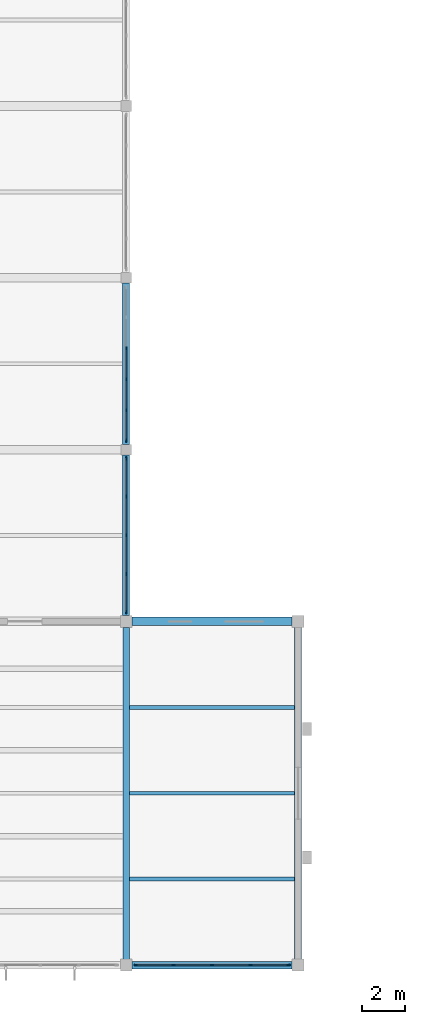
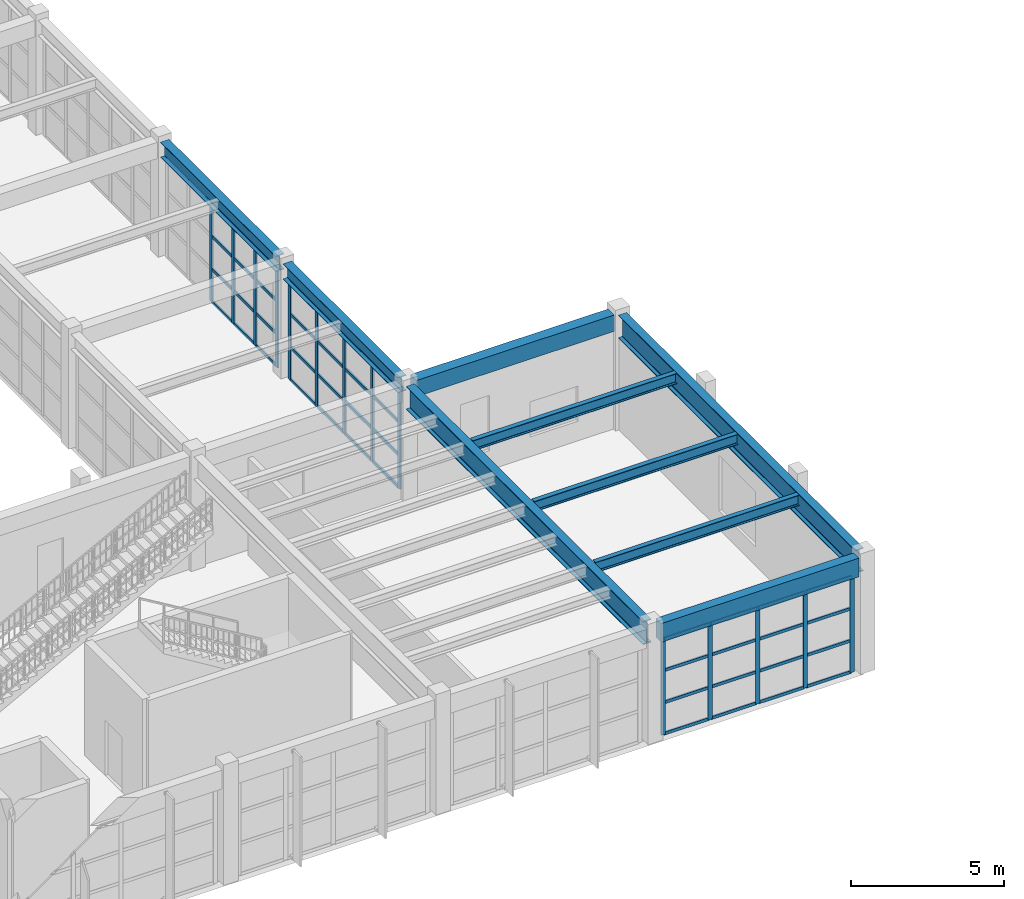
# One storey, part 24 of 59: 58 members, 9 beams, 3 elements without a shape of their own.
"""IFC4 building model written with IfcOpenShell, lengths in metres."""

from ifc_helpers import new_model, si_unit, direction, frame, origin, origin_2d, place, context, subcontext, project, spatial, rectangle, i_section, extrude, material, material_profile, profile_set, type_object, element, aggregate, save


model = new_model("IFC4")

# Units and contexts
model_context = context("Model", 3, precision=1e-05, world=origin(), true_north=direction((0.0, 1.0)))
body_context = subcontext(model_context, "Body", "Model", "MODEL_VIEW")
ifc_project = project(units=[si_unit("LENGTHUNIT", "METRE"), si_unit("AREAUNIT", "SQUARE_METRE"), si_unit("VOLUMEUNIT", "CUBIC_METRE"), si_unit("PLANEANGLEUNIT", "RADIAN"), si_unit("MASSUNIT", "GRAM", prefix="KILO")], contexts=[model_context])

# Site, building, storey
site_placement = place(None, origin())
site = spatial("IfcSite", under=ifc_project, at=site_placement, CompositionType="ELEMENT")
building_placement = place(site_placement, origin())
building = spatial("IfcBuilding", under=site, at=building_placement, Name="Serraluz Foothill Cableway Terminal", CompositionType="ELEMENT")
storey_placement = place(building_placement, frame((0.0, 0.0, 4.800048828125)))
storey = spatial("IfcBuildingStorey", under=building, at=storey_placement, Name="L01", CompositionType="ELEMENT", Elevation=4.800048828125)

# Beams
ifc_material_1 = material(Name="Concrete C28/35 (f'c 28 MPa)", Category="concrete")
ifc_material_profile_1 = material_profile(ifc_material_1, rectangle(XDim=0.39990234375, YDim=0.64990234375, at=origin_2d()), Name="RC 400x650")
ifc_profile_set_1 = profile_set([ifc_material_profile_1], Name="Concrete C28/35 (f'c 28 MPa)")
beam_type_1 = type_object("IfcBeamType", Name="TYP-BM-RC400X650", PredefinedType="BEAM", material=ifc_profile_set_1)
beam_1_placement = place(storey_placement, frame((128.27099609375, 16.0, 4.2548828125), z_axis=(1.0, 0.0, 0.0), x_axis=(0.0, 1.0, 0.0)))
element("IfcBeam", 1, at=beam_1_placement, inside=storey, type_object=beam_type_1, Name="Primary Girder BM-X-L01-0190", PredefinedType="BEAM", context=body_context, shape_type="SweptSolid", body=[
    extrude(rectangle(XDim=0.39990234375, YDim=0.64990234375, at=origin_2d()), origin(), (0.0, 0.0, 1.0), 7.4580078125),
])
ifc_material_2 = material(Name="Steel ASTM A992 Grade 50", Category="steel")
ifc_material_profile_2 = material_profile(ifc_material_2, i_section(OverallWidth=0.324951171875, OverallDepth=0.615966796875, WebThickness=0.013916015625, FlangeThickness=0.021484375, FilletRadius=0.01806640625, at=origin_2d()), Name="W24X117")
ifc_profile_set_2 = profile_set([ifc_material_profile_2], Name="Steel ASTM A992 Grade 50")
beam_type_2 = type_object("IfcBeamType", Name="TYP-BM-W24X117", PredefinedType="BEAM", material=ifc_profile_set_2)
beam_2_placement = place(storey_placement, frame((128.0, 16.27099609375, 4.251953125), z_axis=(0.0, 1.0, 0.0), x_axis=(-1.0, 0.0, 0.0)))
element("IfcBeam", 2, at=beam_2_placement, inside=storey, type_object=beam_type_2, Name="Transverse Girder BM-Y-L01-0282", PredefinedType="BEAM", context=body_context, shape_type="SweptSolid", body=[
    extrude(i_section(OverallWidth=0.324951171875, OverallDepth=0.615966796875, WebThickness=0.013916015625, FlangeThickness=0.021484375, FilletRadius=0.01806640625, at=origin_2d()), origin(), (0.0, 0.0, 1.0), 7.48291015625),
])
beam_3_placement = place(storey_placement, frame((128.0, 24.24609375, 4.251953125), z_axis=(0.0, 1.0, 0.0), x_axis=(-1.0, 0.0, 0.0)))
element("IfcBeam", 3, at=beam_3_placement, inside=storey, type_object=beam_type_2, Name="Transverse Girder BM-Y-L01-0283", PredefinedType="BEAM", context=body_context, shape_type="SweptSolid", body=[
    extrude(i_section(OverallWidth=0.324951171875, OverallDepth=0.615966796875, WebThickness=0.013916015625, FlangeThickness=0.021484375, FilletRadius=0.01806640625, at=origin_2d()), origin(), (0.0, 0.0, 1.0), 7.5078125),
])
ifc_material_profile_3 = material_profile(ifc_material_2, i_section(OverallWidth=0.30810546875, OverallDepth=0.927001953125, WebThickness=0.019287109375, FlangeThickness=0.031982421875, FilletRadius=0.02587890625, at=origin_2d()), Name="W36X194")
ifc_profile_set_3 = profile_set([ifc_material_profile_3], Name="Steel ASTM A992 Grade 50")
beam_type_3 = type_object("IfcBeamType", Name="TYP-BM-W36X194", PredefinedType="BEAM", material=ifc_profile_set_3)
for number, where, z_axis, x_axis, name in (
    (4, (128.0, 0.27099609375, 4.076416015625), (0.0, 1.0, 0.0), (-1.0, 0.0, 0.0), "Transverse Girder BM-Y-L01-0281"),
    (5, (136.0, 0.27099609375, 4.116455078125), (0.0, 1.0, 0.0), (-1.0, 0.0, 0.0), "Transverse Girder BM-Y-L01-0288"),
):
    element("IfcBeam", number, at=place(storey_placement, frame(where, z_axis=z_axis, x_axis=x_axis)), inside=storey, type_object=beam_type_3, Name=name, PredefinedType="BEAM", context=body_context, shape_type="SweptSolid", body=[
        extrude(i_section(OverallWidth=0.30810546875, OverallDepth=0.927001953125, WebThickness=0.019287109375, FlangeThickness=0.031982421875, FilletRadius=0.02587890625, at=origin_2d()), origin(), (0.0, 0.0, 1.0), 15.4580078125),
    ])

# Curtain wall, members
ifc_material_3 = material(Name="Architectural bronze alloy C28000", Category="aluminium")
curtain_wall_type_1 = type_object("IfcCurtainWallType", Name="TYP-CW-380X420", PredefinedType="NOTDEFINED", material=ifc_material_3)
curtain_wall_1_placement = place(storey_placement, origin())
curtain_wall_1 = element("IfcCurtainWall", 6, at=curtain_wall_1_placement, inside=storey, type_object=curtain_wall_type_1, Name="Ribbed Glazed Curtain Wall CW-V3S-L01-128", PredefinedType="NOTDEFINED")
ifc_material_profile_4 = material_profile(ifc_material_3, rectangle(XDim=0.06005859375, YDim=0.159912109375, at=origin_2d()), Name="ALU MULLION 60x160")
ifc_profile_set_4 = profile_set([ifc_material_profile_4], Name="Architectural bronze alloy C28000")
member_type_1 = type_object("IfcMemberType", Name="TYP-CW-MUL-60X160", PredefinedType="MULLION", material=ifc_profile_set_4)
member_1_placement = place(storey_placement, frame((135.554931640625, 0.0, 0.0), z_axis=(0.0, 0.0, 1.0), x_axis=(0.0, -1.0, 0.0)))
member_1 = element("IfcMember", 7, at=member_1_placement, type_object=member_type_1, Name="CW-17 mullion 1", PredefinedType="MULLION", context=body_context, shape_type="SweptSolid", body=[
    extrude(rectangle(XDim=0.06005859375, YDim=0.159912109375, at=origin_2d()), origin(), (0.0, 0.0, 1.0), 3.829833984375),
])
member_2_placement = place(storey_placement, frame((133.79248046875, 0.0, 0.0), z_axis=(0.0, 0.0, 1.0), x_axis=(0.0, -1.0, 0.0)))
member_2 = element("IfcMember", 8, at=member_2_placement, type_object=member_type_1, Name="CW-17 mullion 2", PredefinedType="MULLION", context=body_context, shape_type="SweptSolid", body=[
    extrude(rectangle(XDim=0.06005859375, YDim=0.159912109375, at=origin_2d()), origin(), (0.0, 0.0, 1.0), 3.829833984375),
])
member_3_placement = place(storey_placement, frame((132.0, 0.0, 0.0), z_axis=(0.0, 0.0, 1.0), x_axis=(0.0, -1.0, 0.0)))
member_3 = element("IfcMember", 9, at=member_3_placement, type_object=member_type_1, Name="CW-17 mullion 3", PredefinedType="MULLION", context=body_context, shape_type="SweptSolid", body=[
    extrude(rectangle(XDim=0.06005859375, YDim=0.159912109375, at=origin_2d()), origin(), (0.0, 0.0, 1.0), 3.829833984375),
])
member_4_placement = place(storey_placement, frame((130.20751953125, 0.0, 0.0), z_axis=(0.0, 0.0, 1.0), x_axis=(0.0, -1.0, 0.0)))
member_4 = element("IfcMember", 10, at=member_4_placement, type_object=member_type_1, Name="CW-17 mullion 4", PredefinedType="MULLION", context=body_context, shape_type="SweptSolid", body=[
    extrude(rectangle(XDim=0.06005859375, YDim=0.159912109375, at=origin_2d()), origin(), (0.0, 0.0, 1.0), 3.829833984375),
])
member_5_placement = place(storey_placement, frame((128.445068359375, 0.0, 0.0), z_axis=(0.0, 0.0, 1.0), x_axis=(0.0, -1.0, 0.0)))
member_5 = element("IfcMember", 11, at=member_5_placement, type_object=member_type_1, Name="CW-17 mullion 5", PredefinedType="MULLION", context=body_context, shape_type="SweptSolid", body=[
    extrude(rectangle(XDim=0.06005859375, YDim=0.159912109375, at=origin_2d()), origin(), (0.0, 0.0, 1.0), 3.829833984375),
])

curtain_wall_type_2 = type_object("IfcCurtainWallType", Name="TYP-CW-710X420", PredefinedType="NOTDEFINED", material=ifc_material_3)
curtain_wall_2_placement = place(storey_placement, origin())
curtain_wall_2 = element("IfcCurtainWall", 12, at=curtain_wall_2_placement, inside=storey, type_object=curtain_wall_type_2, Name="Ribbed Glazed Curtain Wall CW-CLE-L01-16", PredefinedType="NOTDEFINED")
member_6_placement = place(storey_placement, frame((128.0, 23.580078125, 0.0), z_axis=(0.0, 0.0, 1.0), x_axis=(1.0, 0.0, 0.0)))
member_6 = element("IfcMember", 13, at=member_6_placement, type_object=member_type_1, Name="CW-01 mullion 1", PredefinedType="MULLION", context=body_context, shape_type="SweptSolid", body=[
    extrude(rectangle(XDim=0.06005859375, YDim=0.159912109375, at=origin_2d()), origin(), (0.0, 0.0, 1.0), 3.94384765625),
])
member_7_placement = place(storey_placement, frame((128.0, 21.811279296875, 0.0), z_axis=(0.0, 0.0, 1.0), x_axis=(1.0, 0.0, 0.0)))
member_7 = element("IfcMember", 14, at=member_7_placement, type_object=member_type_1, Name="CW-01 mullion 2", PredefinedType="MULLION", context=body_context, shape_type="SweptSolid", body=[
    extrude(rectangle(XDim=0.06005859375, YDim=0.159912109375, at=origin_2d()), origin(), (0.0, 0.0, 1.0), 3.94384765625),
])
member_8_placement = place(storey_placement, frame((128.0, 20.012451171875, 0.0), z_axis=(0.0, 0.0, 1.0), x_axis=(1.0, 0.0, 0.0)))
member_8 = element("IfcMember", 15, at=member_8_placement, type_object=member_type_1, Name="CW-01 mullion 3", PredefinedType="MULLION", context=body_context, shape_type="SweptSolid", body=[
    extrude(rectangle(XDim=0.06005859375, YDim=0.159912109375, at=origin_2d()), origin(), (0.0, 0.0, 1.0), 3.94384765625),
])
member_9_placement = place(storey_placement, frame((128.0, 18.2138671875, 0.0), z_axis=(0.0, 0.0, 1.0), x_axis=(1.0, 0.0, 0.0)))
member_9 = element("IfcMember", 16, at=member_9_placement, type_object=member_type_1, Name="CW-01 mullion 4", PredefinedType="MULLION", context=body_context, shape_type="SweptSolid", body=[
    extrude(rectangle(XDim=0.06005859375, YDim=0.159912109375, at=origin_2d()), origin(), (0.0, 0.0, 1.0), 3.94384765625),
])
member_10_placement = place(storey_placement, frame((128.0, 16.445068359375, 0.0), z_axis=(0.0, 0.0, 1.0), x_axis=(1.0, 0.0, 0.0)))
member_10 = element("IfcMember", 17, at=member_10_placement, type_object=member_type_1, Name="CW-01 mullion 5", PredefinedType="MULLION", context=body_context, shape_type="SweptSolid", body=[
    extrude(rectangle(XDim=0.06005859375, YDim=0.159912109375, at=origin_2d()), origin(), (0.0, 0.0, 1.0), 3.94384765625),
])

curtain_wall_3_placement = place(storey_placement, origin())
curtain_wall_3 = element("IfcCurtainWall", 18, at=curtain_wall_3_placement, inside=storey, type_object=curtain_wall_type_2, Name="Ribbed Glazed Curtain Wall CW-CLE-L01-24", PredefinedType="NOTDEFINED")
member_11_placement = place(storey_placement, frame((128.0, 28.721923828125, 0.0), z_axis=(0.0, 0.0, 1.0), x_axis=(1.0, 0.0, 0.0)))
member_11 = element("IfcMember", 19, at=member_11_placement, type_object=member_type_1, Name="CW-01 mullion 3", PredefinedType="MULLION", context=body_context, shape_type="SweptSolid", body=[
    extrude(rectangle(XDim=0.06005859375, YDim=0.159912109375, at=origin_2d()), origin(), (0.0, 0.0, 1.0), 3.94384765625),
])
member_12_placement = place(storey_placement, frame((128.0, 27.278076171875, 0.0), z_axis=(0.0, 0.0, 1.0), x_axis=(1.0, 0.0, 0.0)))
member_12 = element("IfcMember", 20, at=member_12_placement, type_object=member_type_1, Name="CW-01 mullion 4", PredefinedType="MULLION", context=body_context, shape_type="SweptSolid", body=[
    extrude(rectangle(XDim=0.06005859375, YDim=0.159912109375, at=origin_2d()), origin(), (0.0, 0.0, 1.0), 3.94384765625),
])
member_13_placement = place(storey_placement, frame((128.0, 25.833984375, 0.0), z_axis=(0.0, 0.0, 1.0), x_axis=(1.0, 0.0, 0.0)))
member_13 = element("IfcMember", 21, at=member_13_placement, type_object=member_type_1, Name="CW-01 mullion 5", PredefinedType="MULLION", context=body_context, shape_type="SweptSolid", body=[
    extrude(rectangle(XDim=0.06005859375, YDim=0.159912109375, at=origin_2d()), origin(), (0.0, 0.0, 1.0), 3.94384765625),
])
member_14_placement = place(storey_placement, frame((128.0, 24.419921875, 0.0), z_axis=(0.0, 0.0, 1.0), x_axis=(1.0, 0.0, 0.0)))
member_14 = element("IfcMember", 22, at=member_14_placement, type_object=member_type_1, Name="CW-01 mullion 6", PredefinedType="MULLION", context=body_context, shape_type="SweptSolid", body=[
    extrude(rectangle(XDim=0.06005859375, YDim=0.159912109375, at=origin_2d()), origin(), (0.0, 0.0, 1.0), 3.94384765625),
])

# Member
ifc_material_profile_5 = material_profile(ifc_material_3, rectangle(XDim=0.06005859375, YDim=0.1201171875, at=origin_2d()), Name="ALU TRANSOM 60x120")
ifc_profile_set_5 = profile_set([ifc_material_profile_5], Name="Architectural bronze alloy C28000")
member_type_2 = type_object("IfcMemberType", Name="TYP-CW-TRN-60X120", PredefinedType="USERDEFINED", material=ifc_profile_set_5)
member_15_placement = place(storey_placement, frame((135.52490234375, 0.0, 0.030029296875), z_axis=(-1.0, 0.0, 0.0), x_axis=(0.0, -1.0, 0.0)))
member_15 = element("IfcMember", 23, at=member_15_placement, type_object=member_type_2, Name="CW-17 transom 1.1", ObjectType="TRANSOM", PredefinedType="USERDEFINED", context=body_context, shape_type="SweptSolid", body=[
    extrude(rectangle(XDim=0.06005859375, YDim=0.1201171875, at=origin_2d()), origin(), (0.0, 0.0, 1.0), 1.702392578125),
])

member_16_placement = place(storey_placement, frame((135.52490234375, 0.0, 1.276611328125), z_axis=(-1.0, 0.0, 0.0), x_axis=(0.0, -1.0, 0.0)))
member_16 = element("IfcMember", 24, at=member_16_placement, type_object=member_type_2, Name="CW-17 transom 1.2", ObjectType="TRANSOM", PredefinedType="USERDEFINED", context=body_context, shape_type="SweptSolid", body=[
    extrude(rectangle(XDim=0.06005859375, YDim=0.1201171875, at=origin_2d()), origin(), (0.0, 0.0, 1.0), 1.702392578125),
])

member_17_placement = place(storey_placement, frame((135.52490234375, 0.0, 2.55322265625), z_axis=(-1.0, 0.0, 0.0), x_axis=(0.0, -1.0, 0.0)))
member_17 = element("IfcMember", 25, at=member_17_placement, type_object=member_type_2, Name="CW-17 transom 1.3", ObjectType="TRANSOM", PredefinedType="USERDEFINED", context=body_context, shape_type="SweptSolid", body=[
    extrude(rectangle(XDim=0.06005859375, YDim=0.1201171875, at=origin_2d()), origin(), (0.0, 0.0, 1.0), 1.702392578125),
])

member_18_placement = place(storey_placement, frame((135.52490234375, 0.0, 3.800048828125), z_axis=(-1.0, 0.0, 0.0), x_axis=(0.0, -1.0, 0.0)))
member_18 = element("IfcMember", 26, at=member_18_placement, type_object=member_type_2, Name="CW-17 transom 1.4", ObjectType="TRANSOM", PredefinedType="USERDEFINED", context=body_context, shape_type="SweptSolid", body=[
    extrude(rectangle(XDim=0.06005859375, YDim=0.1201171875, at=origin_2d()), origin(), (0.0, 0.0, 1.0), 1.702392578125),
])

member_19_placement = place(storey_placement, frame((133.762451171875, 0.0, 0.030029296875), z_axis=(-1.0, 0.0, 0.0), x_axis=(0.0, -1.0, 0.0)))
member_19 = element("IfcMember", 27, at=member_19_placement, type_object=member_type_2, Name="CW-17 transom 2.1", ObjectType="TRANSOM", PredefinedType="USERDEFINED", context=body_context, shape_type="SweptSolid", body=[
    extrude(rectangle(XDim=0.06005859375, YDim=0.1201171875, at=origin_2d()), origin(), (0.0, 0.0, 1.0), 1.732421875),
])

member_20_placement = place(storey_placement, frame((133.762451171875, 0.0, 1.276611328125), z_axis=(-1.0, 0.0, 0.0), x_axis=(0.0, -1.0, 0.0)))
member_20 = element("IfcMember", 28, at=member_20_placement, type_object=member_type_2, Name="CW-17 transom 2.2", ObjectType="TRANSOM", PredefinedType="USERDEFINED", context=body_context, shape_type="SweptSolid", body=[
    extrude(rectangle(XDim=0.06005859375, YDim=0.1201171875, at=origin_2d()), origin(), (0.0, 0.0, 1.0), 1.732421875),
])

member_21_placement = place(storey_placement, frame((133.762451171875, 0.0, 2.55322265625), z_axis=(-1.0, 0.0, 0.0), x_axis=(0.0, -1.0, 0.0)))
member_21 = element("IfcMember", 29, at=member_21_placement, type_object=member_type_2, Name="CW-17 transom 2.3", ObjectType="TRANSOM", PredefinedType="USERDEFINED", context=body_context, shape_type="SweptSolid", body=[
    extrude(rectangle(XDim=0.06005859375, YDim=0.1201171875, at=origin_2d()), origin(), (0.0, 0.0, 1.0), 1.732421875),
])

member_22_placement = place(storey_placement, frame((133.762451171875, 0.0, 3.800048828125), z_axis=(-1.0, 0.0, 0.0), x_axis=(0.0, -1.0, 0.0)))
member_22 = element("IfcMember", 30, at=member_22_placement, type_object=member_type_2, Name="CW-17 transom 2.4", ObjectType="TRANSOM", PredefinedType="USERDEFINED", context=body_context, shape_type="SweptSolid", body=[
    extrude(rectangle(XDim=0.06005859375, YDim=0.1201171875, at=origin_2d()), origin(), (0.0, 0.0, 1.0), 1.732421875),
])

member_23_placement = place(storey_placement, frame((131.969970703125, 0.0, 0.030029296875), z_axis=(-1.0, 0.0, 0.0), x_axis=(0.0, -1.0, 0.0)))
member_23 = element("IfcMember", 31, at=member_23_placement, type_object=member_type_2, Name="CW-17 transom 3.1", ObjectType="TRANSOM", PredefinedType="USERDEFINED", context=body_context, shape_type="SweptSolid", body=[
    extrude(rectangle(XDim=0.06005859375, YDim=0.1201171875, at=origin_2d()), origin(), (0.0, 0.0, 1.0), 1.732421875),
])

member_24_placement = place(storey_placement, frame((131.969970703125, 0.0, 1.276611328125), z_axis=(-1.0, 0.0, 0.0), x_axis=(0.0, -1.0, 0.0)))
member_24 = element("IfcMember", 32, at=member_24_placement, type_object=member_type_2, Name="CW-17 transom 3.2", ObjectType="TRANSOM", PredefinedType="USERDEFINED", context=body_context, shape_type="SweptSolid", body=[
    extrude(rectangle(XDim=0.06005859375, YDim=0.1201171875, at=origin_2d()), origin(), (0.0, 0.0, 1.0), 1.732421875),
])

member_25_placement = place(storey_placement, frame((131.969970703125, 0.0, 2.55322265625), z_axis=(-1.0, 0.0, 0.0), x_axis=(0.0, -1.0, 0.0)))
member_25 = element("IfcMember", 33, at=member_25_placement, type_object=member_type_2, Name="CW-17 transom 3.3", ObjectType="TRANSOM", PredefinedType="USERDEFINED", context=body_context, shape_type="SweptSolid", body=[
    extrude(rectangle(XDim=0.06005859375, YDim=0.1201171875, at=origin_2d()), origin(), (0.0, 0.0, 1.0), 1.732421875),
])

member_26_placement = place(storey_placement, frame((131.969970703125, 0.0, 3.800048828125), z_axis=(-1.0, 0.0, 0.0), x_axis=(0.0, -1.0, 0.0)))
member_26 = element("IfcMember", 34, at=member_26_placement, type_object=member_type_2, Name="CW-17 transom 3.4", ObjectType="TRANSOM", PredefinedType="USERDEFINED", context=body_context, shape_type="SweptSolid", body=[
    extrude(rectangle(XDim=0.06005859375, YDim=0.1201171875, at=origin_2d()), origin(), (0.0, 0.0, 1.0), 1.732421875),
])

member_27_placement = place(storey_placement, frame((130.177490234375, 0.0, 0.030029296875), z_axis=(-1.0, 0.0, 0.0), x_axis=(0.0, -1.0, 0.0)))
member_27 = element("IfcMember", 35, at=member_27_placement, type_object=member_type_2, Name="CW-17 transom 4.1", ObjectType="TRANSOM", PredefinedType="USERDEFINED", context=body_context, shape_type="SweptSolid", body=[
    extrude(rectangle(XDim=0.06005859375, YDim=0.1201171875, at=origin_2d()), origin(), (0.0, 0.0, 1.0), 1.702392578125),
])

member_28_placement = place(storey_placement, frame((130.177490234375, 0.0, 1.276611328125), z_axis=(-1.0, 0.0, 0.0), x_axis=(0.0, -1.0, 0.0)))
member_28 = element("IfcMember", 36, at=member_28_placement, type_object=member_type_2, Name="CW-17 transom 4.2", ObjectType="TRANSOM", PredefinedType="USERDEFINED", context=body_context, shape_type="SweptSolid", body=[
    extrude(rectangle(XDim=0.06005859375, YDim=0.1201171875, at=origin_2d()), origin(), (0.0, 0.0, 1.0), 1.702392578125),
])

member_29_placement = place(storey_placement, frame((130.177490234375, 0.0, 2.55322265625), z_axis=(-1.0, 0.0, 0.0), x_axis=(0.0, -1.0, 0.0)))
member_29 = element("IfcMember", 37, at=member_29_placement, type_object=member_type_2, Name="CW-17 transom 4.3", ObjectType="TRANSOM", PredefinedType="USERDEFINED", context=body_context, shape_type="SweptSolid", body=[
    extrude(rectangle(XDim=0.06005859375, YDim=0.1201171875, at=origin_2d()), origin(), (0.0, 0.0, 1.0), 1.702392578125),
])

member_30_placement = place(storey_placement, frame((130.177490234375, 0.0, 3.800048828125), z_axis=(-1.0, 0.0, 0.0), x_axis=(0.0, -1.0, 0.0)))
member_30 = element("IfcMember", 38, at=member_30_placement, type_object=member_type_2, Name="CW-17 transom 4.4", ObjectType="TRANSOM", PredefinedType="USERDEFINED", context=body_context, shape_type="SweptSolid", body=[
    extrude(rectangle(XDim=0.06005859375, YDim=0.1201171875, at=origin_2d()), origin(), (0.0, 0.0, 1.0), 1.702392578125),
])

aggregate(curtain_wall_1, [member_1, member_2, member_3, member_4, member_5, member_15, member_16, member_17, member_18, member_19, member_20, member_21, member_22, member_23, member_24, member_25, member_26, member_27, member_28, member_29, member_30])

member_31_placement = place(storey_placement, frame((128.0, 23.550048828125, 0.030029296875), z_axis=(0.0, -1.0, 0.0), x_axis=(1.0, 0.0, 0.0)))
member_31 = element("IfcMember", 39, at=member_31_placement, type_object=member_type_2, Name="CW-01 transom 1.1", ObjectType="TRANSOM", PredefinedType="USERDEFINED", context=body_context, shape_type="SweptSolid", body=[
    extrude(rectangle(XDim=0.06005859375, YDim=0.1201171875, at=origin_2d()), origin(), (0.0, 0.0, 1.0), 1.708740234375),
])

member_32_placement = place(storey_placement, frame((128.0, 23.550048828125, 1.314697265625), z_axis=(0.0, -1.0, 0.0), x_axis=(1.0, 0.0, 0.0)))
member_32 = element("IfcMember", 40, at=member_32_placement, type_object=member_type_2, Name="CW-01 transom 1.2", ObjectType="TRANSOM", PredefinedType="USERDEFINED", context=body_context, shape_type="SweptSolid", body=[
    extrude(rectangle(XDim=0.06005859375, YDim=0.1201171875, at=origin_2d()), origin(), (0.0, 0.0, 1.0), 1.708740234375),
])

member_33_placement = place(storey_placement, frame((128.0, 23.550048828125, 2.629150390625), z_axis=(0.0, -1.0, 0.0), x_axis=(1.0, 0.0, 0.0)))
member_33 = element("IfcMember", 41, at=member_33_placement, type_object=member_type_2, Name="CW-01 transom 1.3", ObjectType="TRANSOM", PredefinedType="USERDEFINED", context=body_context, shape_type="SweptSolid", body=[
    extrude(rectangle(XDim=0.06005859375, YDim=0.1201171875, at=origin_2d()), origin(), (0.0, 0.0, 1.0), 1.708740234375),
])

member_34_placement = place(storey_placement, frame((128.0, 23.550048828125, 3.9140625), z_axis=(0.0, -1.0, 0.0), x_axis=(1.0, 0.0, 0.0)))
member_34 = element("IfcMember", 42, at=member_34_placement, type_object=member_type_2, Name="CW-01 transom 1.4", ObjectType="TRANSOM", PredefinedType="USERDEFINED", context=body_context, shape_type="SweptSolid", body=[
    extrude(rectangle(XDim=0.06005859375, YDim=0.1201171875, at=origin_2d()), origin(), (0.0, 0.0, 1.0), 1.708740234375),
])

member_35_placement = place(storey_placement, frame((128.0, 21.78125, 0.030029296875), z_axis=(0.0, -1.0, 0.0), x_axis=(1.0, 0.0, 0.0)))
member_35 = element("IfcMember", 43, at=member_35_placement, type_object=member_type_2, Name="CW-01 transom 2.1", ObjectType="TRANSOM", PredefinedType="USERDEFINED", context=body_context, shape_type="SweptSolid", body=[
    extrude(rectangle(XDim=0.06005859375, YDim=0.1201171875, at=origin_2d()), origin(), (0.0, 0.0, 1.0), 1.73876953125),
])

member_36_placement = place(storey_placement, frame((128.0, 21.78125, 1.314697265625), z_axis=(0.0, -1.0, 0.0), x_axis=(1.0, 0.0, 0.0)))
member_36 = element("IfcMember", 44, at=member_36_placement, type_object=member_type_2, Name="CW-01 transom 2.2", ObjectType="TRANSOM", PredefinedType="USERDEFINED", context=body_context, shape_type="SweptSolid", body=[
    extrude(rectangle(XDim=0.06005859375, YDim=0.1201171875, at=origin_2d()), origin(), (0.0, 0.0, 1.0), 1.73876953125),
])

member_37_placement = place(storey_placement, frame((128.0, 21.78125, 2.629150390625), z_axis=(0.0, -1.0, 0.0), x_axis=(1.0, 0.0, 0.0)))
member_37 = element("IfcMember", 45, at=member_37_placement, type_object=member_type_2, Name="CW-01 transom 2.3", ObjectType="TRANSOM", PredefinedType="USERDEFINED", context=body_context, shape_type="SweptSolid", body=[
    extrude(rectangle(XDim=0.06005859375, YDim=0.1201171875, at=origin_2d()), origin(), (0.0, 0.0, 1.0), 1.73876953125),
])

member_38_placement = place(storey_placement, frame((128.0, 21.78125, 3.9140625), z_axis=(0.0, -1.0, 0.0), x_axis=(1.0, 0.0, 0.0)))
member_38 = element("IfcMember", 46, at=member_38_placement, type_object=member_type_2, Name="CW-01 transom 2.4", ObjectType="TRANSOM", PredefinedType="USERDEFINED", context=body_context, shape_type="SweptSolid", body=[
    extrude(rectangle(XDim=0.06005859375, YDim=0.1201171875, at=origin_2d()), origin(), (0.0, 0.0, 1.0), 1.73876953125),
])

member_39_placement = place(storey_placement, frame((128.0, 19.982421875, 0.030029296875), z_axis=(0.0, -1.0, 0.0), x_axis=(1.0, 0.0, 0.0)))
member_39 = element("IfcMember", 47, at=member_39_placement, type_object=member_type_2, Name="CW-01 transom 3.1", ObjectType="TRANSOM", PredefinedType="USERDEFINED", context=body_context, shape_type="SweptSolid", body=[
    extrude(rectangle(XDim=0.06005859375, YDim=0.1201171875, at=origin_2d()), origin(), (0.0, 0.0, 1.0), 1.73876953125),
])

member_40_placement = place(storey_placement, frame((128.0, 19.982421875, 1.314697265625), z_axis=(0.0, -1.0, 0.0), x_axis=(1.0, 0.0, 0.0)))
member_40 = element("IfcMember", 48, at=member_40_placement, type_object=member_type_2, Name="CW-01 transom 3.2", ObjectType="TRANSOM", PredefinedType="USERDEFINED", context=body_context, shape_type="SweptSolid", body=[
    extrude(rectangle(XDim=0.06005859375, YDim=0.1201171875, at=origin_2d()), origin(), (0.0, 0.0, 1.0), 1.73876953125),
])

member_41_placement = place(storey_placement, frame((128.0, 19.982421875, 2.629150390625), z_axis=(0.0, -1.0, 0.0), x_axis=(1.0, 0.0, 0.0)))
member_41 = element("IfcMember", 49, at=member_41_placement, type_object=member_type_2, Name="CW-01 transom 3.3", ObjectType="TRANSOM", PredefinedType="USERDEFINED", context=body_context, shape_type="SweptSolid", body=[
    extrude(rectangle(XDim=0.06005859375, YDim=0.1201171875, at=origin_2d()), origin(), (0.0, 0.0, 1.0), 1.73876953125),
])

member_42_placement = place(storey_placement, frame((128.0, 19.982421875, 3.9140625), z_axis=(0.0, -1.0, 0.0), x_axis=(1.0, 0.0, 0.0)))
member_42 = element("IfcMember", 50, at=member_42_placement, type_object=member_type_2, Name="CW-01 transom 3.4", ObjectType="TRANSOM", PredefinedType="USERDEFINED", context=body_context, shape_type="SweptSolid", body=[
    extrude(rectangle(XDim=0.06005859375, YDim=0.1201171875, at=origin_2d()), origin(), (0.0, 0.0, 1.0), 1.73876953125),
])

member_43_placement = place(storey_placement, frame((128.0, 18.183837890625, 0.030029296875), z_axis=(0.0, -1.0, 0.0), x_axis=(1.0, 0.0, 0.0)))
member_43 = element("IfcMember", 51, at=member_43_placement, type_object=member_type_2, Name="CW-01 transom 4.1", ObjectType="TRANSOM", PredefinedType="USERDEFINED", context=body_context, shape_type="SweptSolid", body=[
    extrude(rectangle(XDim=0.06005859375, YDim=0.1201171875, at=origin_2d()), origin(), (0.0, 0.0, 1.0), 1.708740234375),
])

member_44_placement = place(storey_placement, frame((128.0, 18.183837890625, 1.314697265625), z_axis=(0.0, -1.0, 0.0), x_axis=(1.0, 0.0, 0.0)))
member_44 = element("IfcMember", 52, at=member_44_placement, type_object=member_type_2, Name="CW-01 transom 4.2", ObjectType="TRANSOM", PredefinedType="USERDEFINED", context=body_context, shape_type="SweptSolid", body=[
    extrude(rectangle(XDim=0.06005859375, YDim=0.1201171875, at=origin_2d()), origin(), (0.0, 0.0, 1.0), 1.708740234375),
])

member_45_placement = place(storey_placement, frame((128.0, 18.183837890625, 2.629150390625), z_axis=(0.0, -1.0, 0.0), x_axis=(1.0, 0.0, 0.0)))
member_45 = element("IfcMember", 53, at=member_45_placement, type_object=member_type_2, Name="CW-01 transom 4.3", ObjectType="TRANSOM", PredefinedType="USERDEFINED", context=body_context, shape_type="SweptSolid", body=[
    extrude(rectangle(XDim=0.06005859375, YDim=0.1201171875, at=origin_2d()), origin(), (0.0, 0.0, 1.0), 1.708740234375),
])

member_46_placement = place(storey_placement, frame((128.0, 18.183837890625, 3.9140625), z_axis=(0.0, -1.0, 0.0), x_axis=(1.0, 0.0, 0.0)))
member_46 = element("IfcMember", 54, at=member_46_placement, type_object=member_type_2, Name="CW-01 transom 4.4", ObjectType="TRANSOM", PredefinedType="USERDEFINED", context=body_context, shape_type="SweptSolid", body=[
    extrude(rectangle(XDim=0.06005859375, YDim=0.1201171875, at=origin_2d()), origin(), (0.0, 0.0, 1.0), 1.708740234375),
])

aggregate(curtain_wall_2, [member_6, member_7, member_8, member_9, member_10, member_31, member_32, member_33, member_34, member_35, member_36, member_37, member_38, member_39, member_40, member_41, member_42, member_43, member_44, member_45, member_46])

member_47_placement = place(storey_placement, frame((128.0, 28.69189453125, 0.030029296875), z_axis=(0.0, -1.0, 0.0), x_axis=(1.0, 0.0, 0.0)))
member_47 = element("IfcMember", 55, at=member_47_placement, type_object=member_type_2, Name="CW-01 transom 3.1", ObjectType="TRANSOM", PredefinedType="USERDEFINED", context=body_context, shape_type="SweptSolid", body=[
    extrude(rectangle(XDim=0.06005859375, YDim=0.1201171875, at=origin_2d()), origin(), (0.0, 0.0, 1.0), 1.3837890625),
])

member_48_placement = place(storey_placement, frame((128.0, 28.69189453125, 1.314697265625), z_axis=(0.0, -1.0, 0.0), x_axis=(1.0, 0.0, 0.0)))
member_48 = element("IfcMember", 56, at=member_48_placement, type_object=member_type_2, Name="CW-01 transom 3.2", ObjectType="TRANSOM", PredefinedType="USERDEFINED", context=body_context, shape_type="SweptSolid", body=[
    extrude(rectangle(XDim=0.06005859375, YDim=0.1201171875, at=origin_2d()), origin(), (0.0, 0.0, 1.0), 1.3837890625),
])

member_49_placement = place(storey_placement, frame((128.0, 28.69189453125, 2.629150390625), z_axis=(0.0, -1.0, 0.0), x_axis=(1.0, 0.0, 0.0)))
member_49 = element("IfcMember", 57, at=member_49_placement, type_object=member_type_2, Name="CW-01 transom 3.3", ObjectType="TRANSOM", PredefinedType="USERDEFINED", context=body_context, shape_type="SweptSolid", body=[
    extrude(rectangle(XDim=0.06005859375, YDim=0.1201171875, at=origin_2d()), origin(), (0.0, 0.0, 1.0), 1.3837890625),
])

member_50_placement = place(storey_placement, frame((128.0, 28.69189453125, 3.9140625), z_axis=(0.0, -1.0, 0.0), x_axis=(1.0, 0.0, 0.0)))
member_50 = element("IfcMember", 58, at=member_50_placement, type_object=member_type_2, Name="CW-01 transom 3.4", ObjectType="TRANSOM", PredefinedType="USERDEFINED", context=body_context, shape_type="SweptSolid", body=[
    extrude(rectangle(XDim=0.06005859375, YDim=0.1201171875, at=origin_2d()), origin(), (0.0, 0.0, 1.0), 1.3837890625),
])

member_51_placement = place(storey_placement, frame((128.0, 27.248046875, 0.030029296875), z_axis=(0.0, -1.0, 0.0), x_axis=(1.0, 0.0, 0.0)))
member_51 = element("IfcMember", 59, at=member_51_placement, type_object=member_type_2, Name="CW-01 transom 4.1", ObjectType="TRANSOM", PredefinedType="USERDEFINED", context=body_context, shape_type="SweptSolid", body=[
    extrude(rectangle(XDim=0.06005859375, YDim=0.1201171875, at=origin_2d()), origin(), (0.0, 0.0, 1.0), 1.384033203125),
])

member_52_placement = place(storey_placement, frame((128.0, 27.248046875, 1.314697265625), z_axis=(0.0, -1.0, 0.0), x_axis=(1.0, 0.0, 0.0)))
member_52 = element("IfcMember", 60, at=member_52_placement, type_object=member_type_2, Name="CW-01 transom 4.2", ObjectType="TRANSOM", PredefinedType="USERDEFINED", context=body_context, shape_type="SweptSolid", body=[
    extrude(rectangle(XDim=0.06005859375, YDim=0.1201171875, at=origin_2d()), origin(), (0.0, 0.0, 1.0), 1.384033203125),
])

member_53_placement = place(storey_placement, frame((128.0, 27.248046875, 2.629150390625), z_axis=(0.0, -1.0, 0.0), x_axis=(1.0, 0.0, 0.0)))
member_53 = element("IfcMember", 61, at=member_53_placement, type_object=member_type_2, Name="CW-01 transom 4.3", ObjectType="TRANSOM", PredefinedType="USERDEFINED", context=body_context, shape_type="SweptSolid", body=[
    extrude(rectangle(XDim=0.06005859375, YDim=0.1201171875, at=origin_2d()), origin(), (0.0, 0.0, 1.0), 1.384033203125),
])

member_54_placement = place(storey_placement, frame((128.0, 27.248046875, 3.9140625), z_axis=(0.0, -1.0, 0.0), x_axis=(1.0, 0.0, 0.0)))
member_54 = element("IfcMember", 62, at=member_54_placement, type_object=member_type_2, Name="CW-01 transom 4.4", ObjectType="TRANSOM", PredefinedType="USERDEFINED", context=body_context, shape_type="SweptSolid", body=[
    extrude(rectangle(XDim=0.06005859375, YDim=0.1201171875, at=origin_2d()), origin(), (0.0, 0.0, 1.0), 1.384033203125),
])

member_55_placement = place(storey_placement, frame((128.0, 25.803955078125, 0.030029296875), z_axis=(0.0, -1.0, 0.0), x_axis=(1.0, 0.0, 0.0)))
member_55 = element("IfcMember", 63, at=member_55_placement, type_object=member_type_2, Name="CW-01 transom 5.1", ObjectType="TRANSOM", PredefinedType="USERDEFINED", context=body_context, shape_type="SweptSolid", body=[
    extrude(rectangle(XDim=0.06005859375, YDim=0.1201171875, at=origin_2d()), origin(), (0.0, 0.0, 1.0), 1.35400390625),
])

member_56_placement = place(storey_placement, frame((128.0, 25.803955078125, 1.314697265625), z_axis=(0.0, -1.0, 0.0), x_axis=(1.0, 0.0, 0.0)))
member_56 = element("IfcMember", 64, at=member_56_placement, type_object=member_type_2, Name="CW-01 transom 5.2", ObjectType="TRANSOM", PredefinedType="USERDEFINED", context=body_context, shape_type="SweptSolid", body=[
    extrude(rectangle(XDim=0.06005859375, YDim=0.1201171875, at=origin_2d()), origin(), (0.0, 0.0, 1.0), 1.35400390625),
])

member_57_placement = place(storey_placement, frame((128.0, 25.803955078125, 2.629150390625), z_axis=(0.0, -1.0, 0.0), x_axis=(1.0, 0.0, 0.0)))
member_57 = element("IfcMember", 65, at=member_57_placement, type_object=member_type_2, Name="CW-01 transom 5.3", ObjectType="TRANSOM", PredefinedType="USERDEFINED", context=body_context, shape_type="SweptSolid", body=[
    extrude(rectangle(XDim=0.06005859375, YDim=0.1201171875, at=origin_2d()), origin(), (0.0, 0.0, 1.0), 1.35400390625),
])

member_58_placement = place(storey_placement, frame((128.0, 25.803955078125, 3.9140625), z_axis=(0.0, -1.0, 0.0), x_axis=(1.0, 0.0, 0.0)))
member_58 = element("IfcMember", 66, at=member_58_placement, type_object=member_type_2, Name="CW-01 transom 5.4", ObjectType="TRANSOM", PredefinedType="USERDEFINED", context=body_context, shape_type="SweptSolid", body=[
    extrude(rectangle(XDim=0.06005859375, YDim=0.1201171875, at=origin_2d()), origin(), (0.0, 0.0, 1.0), 1.35400390625),
])

aggregate(curtain_wall_3, [member_11, member_12, member_13, member_14, member_47, member_48, member_49, member_50, member_51, member_52, member_53, member_54, member_55, member_56, member_57, member_58])

# Beams
ifc_material_profile_6 = material_profile(ifc_material_2, i_section(OverallWidth=0.180908203125, OverallDepth=0.4169921875, WebThickness=0.010986328125, FlangeThickness=0.018310546875, FilletRadius=0.013916015625, at=origin_2d()), Name="W16X57")
ifc_profile_set_6 = profile_set([ifc_material_profile_6], Name="Steel ASTM A992 Grade 50")
beam_type_4 = type_object("IfcBeamType", Name="TYP-JS-W16X57", PredefinedType="JOIST", material=ifc_profile_set_6)
for number, where, z_axis, x_axis, name in (
    (67, (128.158935546875, 4.0, 4.371337890625), (1.0, 0.0, 0.0), (0.0, 1.0, 0.0), "Secondary Floor Joist JS-L01-0112"),
    (68, (128.158935546875, 8.0, 4.371337890625), (1.0, 0.0, 0.0), (0.0, 1.0, 0.0), "Secondary Floor Joist JS-L01-0113"),
    (69, (128.158935546875, 12.0, 4.371337890625), (1.0, 0.0, 0.0), (0.0, 1.0, 0.0), "Secondary Floor Joist JS-L01-0114"),
):
    element("IfcBeam", number, at=place(storey_placement, frame(where, z_axis=z_axis, x_axis=x_axis)), inside=storey, type_object=beam_type_4, Name=name, PredefinedType="JOIST", context=body_context, shape_type="SweptSolid", body=[
        extrude(i_section(OverallWidth=0.180908203125, OverallDepth=0.4169921875, WebThickness=0.010986328125, FlangeThickness=0.018310546875, FilletRadius=0.013916015625, at=origin_2d()), origin(), (0.0, 0.0, 1.0), 7.68212890625),
    ])
ifc_material_4 = material(Name="Precast concrete C40/50", Category="concrete")
ifc_material_profile_7 = material_profile(ifc_material_4, rectangle(XDim=0.35009765625, YDim=0.75, at=origin_2d()), Name="RC SP 350x750")
ifc_profile_set_7 = profile_set([ifc_material_profile_7], Name="Precast concrete C40/50")
beam_type_5 = type_object("IfcBeamType", Name="TYP-SP-RC350X750", PredefinedType="SPANDREL", material=ifc_profile_set_7)
beam_4_placement = place(storey_placement, frame((128.27099609375, 0.0, 4.204833984375), z_axis=(1.0, 0.0, 0.0), x_axis=(0.0, 1.0, 0.0)))
element("IfcBeam", 70, at=beam_4_placement, inside=storey, type_object=beam_type_5, Name="Primary Girder BM-X-L01-0184", PredefinedType="SPANDREL", context=body_context, shape_type="SweptSolid", body=[
    extrude(rectangle(XDim=0.35009765625, YDim=0.75, at=origin_2d()), origin(), (0.0, 0.0, 1.0), 7.4580078125),
])

save(model, "model.ifc")
